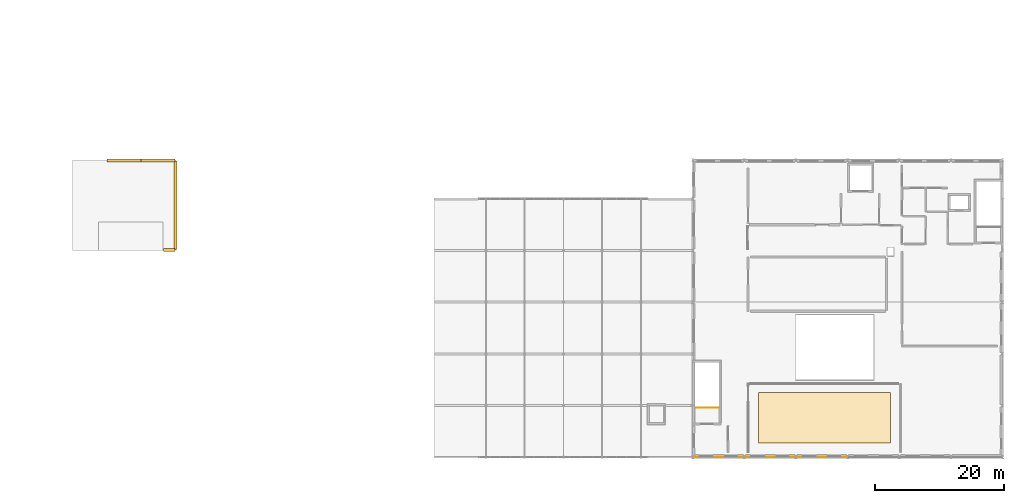
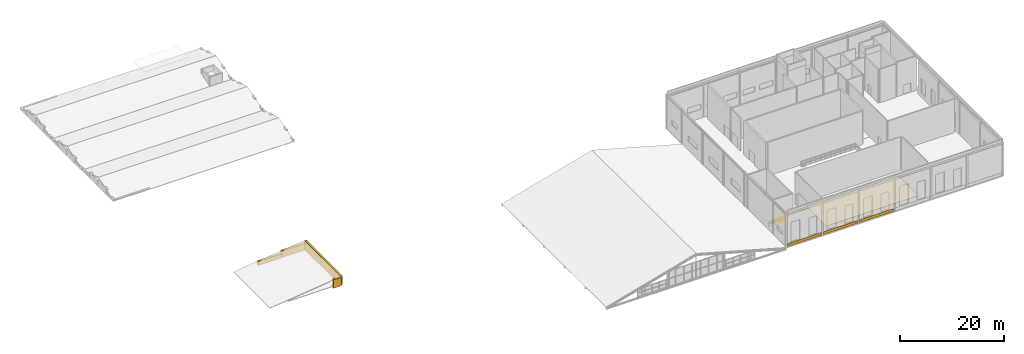
# One storey, part 46 of 49: 8 coverings, 2 railings.
"""IFC4 building model written with IfcOpenShell, lengths in metres."""

import ifcopenshell
import ifcopenshell.guid

model = None  # the IFC model being written
_history = None  # IfcOwnerHistory: only IFC2X3 demands one
_inside = {}  # id of a spatial element -> (the spatial element, [elements in it])
_under = {}  # id of a project, library or spatial element -> (it, [spatial elements below it])
_declared = {}  # id of a project -> (the project, [libraries it declares])
_typed = {}  # id of a type object -> (the type object, [elements of that type])
_made_of = {}  # id of a material, layer set ... -> (it, [elements and type objects made of it])


def new_model(schema):
    """Start an empty IFC model of exactly this schema.

    Asked for "IFC4X3", IfcOpenShell would pick the latest addendum, in which some entities
    have other attributes; the version numbers below select the first issue.
    IFC2X3 requires an IfcOwnerHistory on every rooted entity: one is made here for all.
    """
    global model, _history
    if schema == "IFC4X3":
        model = ifcopenshell.file(schema_version=(4, 3, 0, 0))
    else:
        model = ifcopenshell.file(schema=schema)
    _inside.clear()
    _under.clear()
    _declared.clear()
    _typed.clear()
    _made_of.clear()
    _history = None
    if model.schema == "IFC2X3":
        org = make("IfcOrganization", Name="unknown")
        user = make(
            "IfcPersonAndOrganization",
            ThePerson=make("IfcPerson", FamilyName="unknown"),
            TheOrganization=org,
        )
        app = make(
            "IfcApplication",
            ApplicationDeveloper=org,
            Version="unknown",
            ApplicationFullName="unknown",
            ApplicationIdentifier="unknown",
        )
        _history = make(
            "IfcOwnerHistory",
            OwningUser=user,
            OwningApplication=app,
            ChangeAction="ADDED",
            CreationDate=0,
        )
    return model


def make(cls, **values):
    """One entity of the class cls with the attributes given. An attribute that is None is left unset."""
    return model.create_entity(
        cls, **{name: value for name, value in values.items() if value is not None}
    )


def rooted(cls, **values):
    """An entity with a GlobalId (a new one), such as an element, a storey or a relation."""
    return make(cls, GlobalId=ifcopenshell.guid.new(), OwnerHistory=_history, **values)


def si_unit(unit_type, name, prefix=None):
    """IfcSIUnit, for example si_unit("LENGTHUNIT", "METRE", prefix="MILLI")."""
    return make("IfcSIUnit", UnitType=unit_type, Prefix=prefix, Name=name)


def assignment(units):
    """IfcUnitAssignment: the units of a project."""
    return None if units is None else make("IfcUnitAssignment", Units=units)


def point(xyz):
    """IfcCartesianPoint."""
    return None if xyz is None else make("IfcCartesianPoint", Coordinates=xyz)


def direction(xyz):
    """IfcDirection."""
    return None if xyz is None else make("IfcDirection", DirectionRatios=xyz)


def frame(location, z_axis=None, x_axis=None):
    """IfcAxis2Placement3D, a coordinate frame: its origin and axes. An axis left out is left unset."""
    return make(
        "IfcAxis2Placement3D",
        Location=point(location),
        Axis=direction(z_axis),
        RefDirection=direction(x_axis),
    )


def frame_2d(location, x_axis=None):
    """IfcAxis2Placement2D, a coordinate frame in the plane: its origin and x axis."""
    return make(
        "IfcAxis2Placement2D", Location=point(location), RefDirection=direction(x_axis)
    )


def origin():
    """The frame at (0, 0, 0) with its axes left unset."""
    return frame((0.0, 0.0, 0.0))


def origin_2d():
    """The frame at (0, 0) in the plane with its x axis left unset."""
    return frame_2d((0.0, 0.0))


def place(relative_to, where):
    """IfcLocalPlacement: puts the frame where relative to a parent placement (None: the world)."""
    return make(
        "IfcLocalPlacement", PlacementRelTo=relative_to, RelativePlacement=where
    )


def context(
    kind, dimensions, precision=None, world=None, true_north=None, identifier=None
):
    """IfcGeometricRepresentationContext, for example the 3D "Model" context."""
    return make(
        "IfcGeometricRepresentationContext",
        ContextIdentifier=identifier,
        ContextType=kind,
        CoordinateSpaceDimension=dimensions,
        Precision=precision,
        WorldCoordinateSystem=world,
        TrueNorth=true_north,
    )


def subcontext(parent, identifier, kind, view, scale=None):
    """IfcGeometricRepresentationSubContext, for example "Body" below "Model"."""
    return make(
        "IfcGeometricRepresentationSubContext",
        ContextIdentifier=identifier,
        ContextType=kind,
        ParentContext=parent,
        TargetScale=scale,
        TargetView=view,
    )


def project(units=None, contexts=None):
    """IfcProject with its units and contexts."""
    return rooted(
        "IfcProject",
        Name="project",
        RepresentationContexts=contexts,
        UnitsInContext=assignment(units),
    )


def spatial(cls, under=None, at=None, **own):
    """A site, building, storey or space (cls), placed at a placement, below another one or the project."""
    s = rooted(cls, ObjectPlacement=at, **own)
    if under is not None:
        _under.setdefault(under.id(), (under, []))[1].append(s)
    return s


def polyline(points):
    """IfcPolyline through the points."""
    return make("IfcPolyline", Points=[point(p) for p in points])


def profile(cls, at=None, kind="AREA", **sizes):
    """A parametric profile (cls). Its sizes go by their IFC names, for example OverallWidth=200.0."""
    return make(cls, ProfileType=kind, Position=at, **sizes)


def rectangle(**sizes):
    """IfcRectangleProfileDef."""
    return profile("IfcRectangleProfileDef", **sizes)


def circle(**sizes):
    """IfcCircleProfileDef."""
    return profile("IfcCircleProfileDef", **sizes)


def outline(outer, holes=None, kind="AREA"):
    """IfcArbitraryClosedProfileDef: a profile drawn as a closed curve; with holes, ...WithVoids."""
    if holes is None:
        return make("IfcArbitraryClosedProfileDef", ProfileType=kind, OuterCurve=outer)
    return make(
        "IfcArbitraryProfileDefWithVoids",
        ProfileType=kind,
        OuterCurve=outer,
        InnerCurves=holes,
    )


def extrude(swept, where, along, depth):
    """IfcExtrudedAreaSolid: the profile swept, set in the frame where, extruded along a direction by depth."""
    return make(
        "IfcExtrudedAreaSolid",
        SweptArea=swept,
        Position=where,
        ExtrudedDirection=direction(along),
        Depth=depth,
    )


def shape(context_of_items, identifier, shape_type, items):
    """IfcShapeRepresentation: the items that make up one representation, for example the "Body"."""
    return make(
        "IfcShapeRepresentation",
        ContextOfItems=context_of_items,
        RepresentationIdentifier=identifier,
        RepresentationType=shape_type,
        Items=items,
    )


def material(Name=None, Category=None):
    """IfcMaterial."""
    return make("IfcMaterial", Name=Name, Category=Category)


def layer(
    of_material, thickness, ventilated=None, Name=None, Category=None, Priority=None
):
    """IfcMaterialLayer: one layer of a wall or slab, of a material (None: an air gap)."""
    return make(
        "IfcMaterialLayer",
        Material=of_material,
        LayerThickness=thickness,
        IsVentilated=ventilated,
        Name=Name,
        Category=Category,
        Priority=Priority,
    )


def layer_set(layers, Name=None):
    """IfcMaterialLayerSet."""
    return make("IfcMaterialLayerSet", MaterialLayers=layers, LayerSetName=Name)


def made_of(thing, what):
    """Note that an element or type object is made of a material, layer set ...; save() writes the relation."""
    if what is not None:
        _made_of.setdefault(what.id(), (what, []))[1].append(thing)
    return thing


def type_object(cls, material=None, **own):
    """A type object (cls), such as IfcWallType, which elements share."""
    return made_of(rooted(cls, **own), material)


def element(
    cls,
    number,
    at=None,
    inside=None,
    cuts=None,
    type_object=None,
    material=None,
    context=None,
    identifier="Body",
    shape_type=None,
    held_by="IfcProductDefinitionShape",
    body=None,
    shapes=None,
    **own,
):
    """One element of the class cls, such as IfcWall. Its Tag is "e" and its number.

    at: its placement. inside: the storey or other place that contains it. cuts: it is an
    opening in that element (IfcRelVoidsElement). A single representation is given by context,
    identifier, shape_type and body (its items); several are given by shapes. held_by: the class
    of the entity that holds the representations. save() writes the other relations.
    """
    e = rooted(cls, Tag="e%d" % number, ObjectPlacement=at, **own)
    if body is not None:
        shapes = [shape(context, identifier, shape_type, body)]
    if shapes is not None:
        e.Representation = make(held_by, Representations=shapes)
    if inside is not None:
        _inside.setdefault(inside.id(), (inside, []))[1].append(e)
    if cuts is not None:
        rooted(
            "IfcRelVoidsElement", RelatingBuildingElement=cuts, RelatedOpeningElement=e
        )
    if type_object is not None:
        _typed.setdefault(type_object.id(), (type_object, []))[1].append(e)
    return made_of(e, material)


def aggregate(whole, parts):
    """IfcRelAggregates: a whole, such as a stair, and the parts it consists of."""
    return rooted("IfcRelAggregates", RelatingObject=whole, RelatedObjects=parts)


def save(model, path):
    """Write the relations noted so far, then the file.

    IfcRelAggregates (storeys below a building ...), IfcRelContainedInSpatialStructure (elements
    in a storey), IfcRelDefinesByType, IfcRelAssociatesMaterial and IfcRelDeclares: one each for
    every whole, place, type object, material and project.
    """
    for whole, parts in _under.values():
        aggregate(whole, parts)
    for where, things in _inside.values():
        rooted(
            "IfcRelContainedInSpatialStructure",
            RelatedElements=things,
            RelatingStructure=where,
        )
    for kind, things in _typed.values():
        rooted("IfcRelDefinesByType", RelatedObjects=things, RelatingType=kind)
    for what, things in _made_of.values():
        rooted("IfcRelAssociatesMaterial", RelatedObjects=things, RelatingMaterial=what)
    for by, libraries in _declared.values():
        rooted("IfcRelDeclares", RelatingContext=by, RelatedDefinitions=libraries)
    model.write(path)


model = new_model("IFC4")

# Units and contexts
model_context = context("Model", 3, precision=1e-05, world=origin(), true_north=direction((0.0, 1.0)))
body_context = subcontext(model_context, "Body", "Model", "MODEL_VIEW")
ifc_project = project(units=[si_unit("LENGTHUNIT", "METRE"), si_unit("AREAUNIT", "SQUARE_METRE"), si_unit("VOLUMEUNIT", "CUBIC_METRE"), si_unit("PLANEANGLEUNIT", "RADIAN"), si_unit("MASSUNIT", "GRAM", prefix="KILO")], contexts=[model_context])

# Site, building, storey
site_placement = place(None, origin())
site = spatial("IfcSite", under=ifc_project, at=site_placement, CompositionType="ELEMENT")
building_placement = place(site_placement, origin())
building = spatial("IfcBuilding", under=site, at=building_placement, Name="Sundkrona Museum", CompositionType="ELEMENT")
storey_placement = place(building_placement, frame((0.0, 0.0, 26.0)))
storey = spatial("IfcBuildingStorey", under=building, at=storey_placement, Name="L05", CompositionType="ELEMENT", Elevation=26.0)

# Coverings
ifc_material_1 = material(Name="Frost-Resistant Vitrified Stoneware Mosaic Cladding", Category="masonry")
ifc_layer_1 = layer(ifc_material_1, 0.044921875)
ifc_layer_set_1 = layer_set([ifc_layer_1], Name="Frost-Resistant Vitrified Stoneware Mosaic Cladding")
covering_type_1 = type_object("IfcCoveringType", Name="COV-CLD-MOS", PredefinedType="CLADDING", material=ifc_layer_set_1)
for number, where, z_axis, x_axis, name in (
    (1, (124.0, 0.0, 0.094970703125), (0.0, 0.0, 1.0), (1.0, 0.0, 0.0), "L05 Vitrified Stoneware Mosaic Spandrel 021"),
    (2, (132.0, 0.0, 0.094970703125), (0.0, 0.0, 1.0), (1.0, 0.0, 0.0), "L05 Vitrified Stoneware Mosaic Spandrel 022"),
    (3, (140.0, 0.0, 0.094970703125), (0.0, 0.0, 1.0), (1.0, 0.0, 0.0), "L05 Vitrified Stoneware Mosaic Spandrel 023"),
):
    element("IfcCovering", number, at=place(storey_placement, frame(where, z_axis=z_axis, x_axis=x_axis)), inside=storey, type_object=covering_type_1, Name=name, PredefinedType="CLADDING", context=body_context, shape_type="SweptSolid", body=[
        extrude(rectangle(XDim=7.49609375, YDim=0.044921875, at=origin_2d()), origin(), (0.0, 0.0, 1.0), 0.64990234375),
    ])
ifc_material_2 = material(Name="Polished Scanian Limestone Terrazzo Flooring", Category="masonry")
ifc_layer_2 = layer(ifc_material_2, 0.034912109375)
ifc_layer_set_2 = layer_set([ifc_layer_2], Name="Polished Scanian Limestone Terrazzo Flooring")
covering_type_2 = type_object("IfcCoveringType", Name="COV-FLR-TZ", PredefinedType="FLOORING", material=ifc_layer_set_2)
covering_1_placement = place(storey_placement, origin())
element("IfcCovering", 4, at=covering_1_placement, inside=storey, type_object=covering_type_2, Name="L05 Top-Lit Sawtooth Gallery Terrazzo Flooring", PredefinedType="FLOORING", context=body_context, shape_type="SweptSolid", body=[
    extrude(outline(polyline([(130.199951171875, 2.199951171875), (150.60009765625, 2.199951171875), (150.60009765625, 10.0), (130.199951171875, 10.0), (130.199951171875, 2.199951171875)])), origin(), (0.0, 0.0, 1.0), 0.034912109375),
])
ifc_material_3 = material(Name="Standing-Seam Patinated Copper Roofing", Category="other")
ifc_layer_3 = layer(ifc_material_3, 0.044921875)
ifc_layer_set_3 = layer_set([ifc_layer_3], Name="Standing-Seam Patinated Copper Roofing")
covering_type_3 = type_object("IfcCoveringType", Name="COV-RF-COP", PredefinedType="ROOFING", material=ifc_layer_set_3)
covering_2_placement = place(storey_placement, frame((38.949951171875, 32.080078125, -0.27001953125), z_axis=(0.0, 0.0, 1.0), x_axis=(1.0, 0.0, 0.0)))
element("IfcCovering", 5, at=covering_2_placement, inside=storey, type_object=covering_type_3, Name="West Core Crown S Gable Cladding 2", PredefinedType="ROOFING", context=body_context, shape_type="SweptSolid", body=[
    extrude(rectangle(XDim=1.780029296875, YDim=0.43994140625, at=origin_2d()), origin(), (0.0, 0.0, 1.0), 1.971923828125),
])
covering_3_placement = place(storey_placement, frame((32.0, 45.919921875, -0.27001953125), z_axis=(0.0, 0.0, 1.0), x_axis=(1.0, 0.0, 0.0)))
element("IfcCovering", 6, at=covering_3_placement, inside=storey, type_object=covering_type_3, Name="West Core Crown N Gable Cladding 2", PredefinedType="ROOFING", context=body_context, shape_type="SweptSolid", body=[
    extrude(rectangle(XDim=5.280029296875, YDim=0.43994140625, at=origin_2d()), origin(), (0.0, 0.0, 1.0), 0.927978515625),
])
covering_4_placement = place(storey_placement, frame((37.199951171875, 45.919921875, -0.27001953125), z_axis=(0.0, 0.0, 1.0), x_axis=(1.0, 0.0, 0.0)))
element("IfcCovering", 7, at=covering_4_placement, inside=storey, type_object=covering_type_3, Name="West Core Crown N Gable Cladding 3", PredefinedType="ROOFING", context=body_context, shape_type="SweptSolid", body=[
    extrude(rectangle(XDim=5.280029296875, YDim=0.43994140625, at=origin_2d()), origin(), (0.0, 0.0, 1.0), 1.552001953125),
])
covering_5_placement = place(storey_placement, frame((39.919921875, 39.0, -0.27001953125), z_axis=(0.0, 0.0, 1.0), x_axis=(0.0, 1.0, 0.0)))
element("IfcCovering", 8, at=covering_5_placement, inside=storey, type_object=covering_type_3, Name="West Core Crown East Gable Cladding", PredefinedType="ROOFING", context=body_context, shape_type="SweptSolid", body=[
    extrude(rectangle(XDim=13.679931640625, YDim=0.43994140625, at=origin_2d()), origin(), (0.0, 0.0, 1.0), 2.1298828125),
])

# Railings
ifc_material_4 = material(Name="Painted Steel S355J2 and Laminated Glass Balustrade", Category="steel")
railing_type = type_object("IfcRailingType", Name="RL-GUARD-1100", PredefinedType="BALUSTRADE", material=ifc_material_4)
railing_1_placement = place(storey_placement, frame((124.10009765625, 7.64990234375, 0.0)))
element("IfcRailing", 9, at=railing_1_placement, inside=storey, type_object=railing_type, Name="L05 ST-2 top well guard 1", PredefinedType="BALUSTRADE", context=body_context, shape_type="SweptSolid", body=[
    extrude(circle(Radius=0.02392578125, at=origin_2d()), frame((0.0, 0.0, 1.076171875), z_axis=(-1.0, 0.0, 0.0), x_axis=(0.0, -1.0, 0.0)), (0.0, 0.0, 1.0), 2.0),
    extrude(circle(Radius=0.02392578125, at=origin_2d()), frame((0.0, 0.0, 0.550048828125), z_axis=(-1.0, 0.0, 0.0), x_axis=(0.0, -1.0, 0.0)), (0.0, 0.0, 1.0), 2.0),
    extrude(circle(Radius=0.02099609375, at=origin_2d()), origin(), (0.0, 0.0, 1.0), 1.052001953125),
    extrude(circle(Radius=0.02099609375, at=origin_2d()), frame((-1.0, 0.0, 0.0)), (0.0, 0.0, 1.0), 1.052001953125),
    extrude(circle(Radius=0.02099609375, at=origin_2d()), frame((-2.0, 0.0, 0.0)), (0.0, 0.0, 1.0), 1.052001953125),
])
railing_2_placement = place(storey_placement, frame((120.580078125, 7.6650390625, 0.0)))
element("IfcRailing", 10, at=railing_2_placement, inside=storey, type_object=railing_type, Name="L05 Edge Protection Balustrade 004", PredefinedType="BALUSTRADE", context=body_context, shape_type="SweptSolid", body=[
    extrude(circle(Radius=0.02392578125, at=origin_2d()), frame((0.0, 0.0, 1.09619140625), z_axis=(1.0, 0.0, 0.0), x_axis=(0.0, 1.0, 0.0)), (0.0, 0.0, 1.0), 1.52001953125),
    extrude(circle(Radius=0.02392578125, at=origin_2d()), frame((0.0, 0.0, 0.56005859375), z_axis=(1.0, 0.0, 0.0), x_axis=(0.0, 1.0, 0.0)), (0.0, 0.0, 1.0), 1.52001953125),
    extrude(circle(Radius=0.02099609375, at=origin_2d()), origin(), (0.0, 0.0, 1.0), 1.072021484375),
    extrude(circle(Radius=0.02099609375, at=origin_2d()), frame((0.760009765625, 0.0, 0.0)), (0.0, 0.0, 1.0), 1.072021484375),
    extrude(circle(Radius=0.02099609375, at=origin_2d()), frame((1.52001953125, 0.0, 0.0)), (0.0, 0.0, 1.0), 1.072021484375),
])

save(model, "model.ifc")
